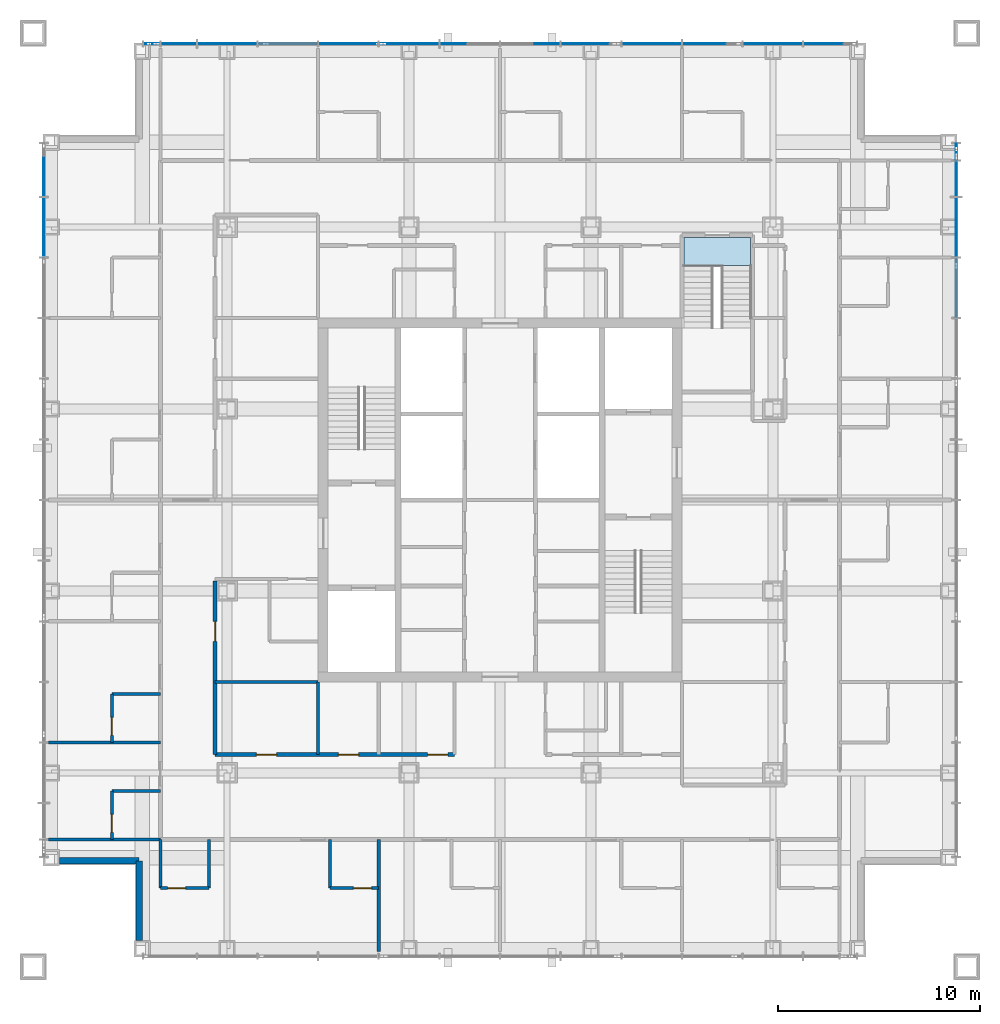
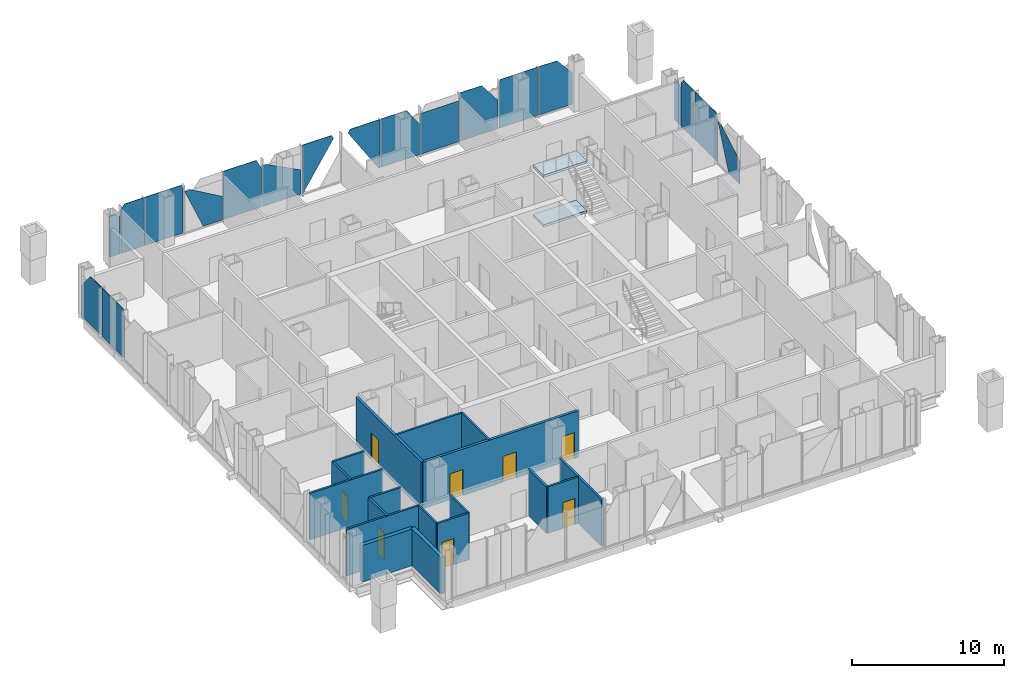
# One storey, part 7 of 25: 19 plates, 18 walls, 8 doors, 2 slabs, 8 openings, 4 elements without a shape of their own.
"""IFC4 building model written with IfcOpenShell, lengths in metres."""

from ifc_helpers import new_model, si_unit, direction, frame, frame_2d, origin, place, context, subcontext, project, spatial, polyline, rectangle, outline, extrude, material, layer, layer_set, type_object, element, fill, aggregate, save


model = new_model("IFC4")

# Units and contexts
model_context = context("Model", 3, precision=1e-05, world=origin(), true_north=direction((0.0, 1.0)))
body_context = subcontext(model_context, "Body", "Model", "MODEL_VIEW")
ifc_project = project(units=[si_unit("LENGTHUNIT", "METRE"), si_unit("AREAUNIT", "SQUARE_METRE"), si_unit("VOLUMEUNIT", "CUBIC_METRE"), si_unit("PLANEANGLEUNIT", "RADIAN"), si_unit("MASSUNIT", "GRAM", prefix="KILO")], contexts=[model_context])

# Site, building, storey
site_placement = place(None, origin())
site = spatial("IfcSite", under=ifc_project, at=site_placement, CompositionType="ELEMENT")
building_placement = place(site_placement, origin())
building = spatial("IfcBuilding", under=site, at=building_placement, Name="Malebo Sky Hospital", CompositionType="ELEMENT")
storey_placement = place(building_placement, frame((0.0, 0.0, 241.0)))
storey = spatial("IfcBuildingStorey", under=building, at=storey_placement, Name="L58", CompositionType="ELEMENT", Elevation=241.0)

# Stair, slabs
ifc_material_1 = material(Name="Concrete C40/50", Category="concrete")
stair_type = type_object("IfcStairType", Name="HALF-TURN STAIR 1400 R167", PredefinedType="HALF_TURN_STAIR", material=ifc_material_1)
stair_placement = place(storey_placement, origin())
stair = element("IfcStair", 1, at=stair_placement, inside=storey, type_object=stair_type, Name="Stair S3 L58 type ST1B", PredefinedType="HALF_TURN_STAIR")
ifc_layer_1 = layer(ifc_material_1, 0.199951171875)
ifc_layer_set_1 = layer_set([ifc_layer_1], Name="STAIR LANDING 200")
slab_type = type_object("IfcSlabType", Name="STAIR LANDING 200", PredefinedType="LANDING", material=ifc_layer_set_1)
slab_1_placement = place(storey_placement, frame((0.0, 0.0, -0.199951171875)))
slab_1 = element("IfcSlab", 2, at=slab_1_placement, type_object=slab_type, Name="S3 landing 1", PredefinedType="LANDING", context=body_context, shape_type="SweptSolid", body=[
    extrude(outline(polyline([(69.10009765625, 73.60009765625), (72.39990234375, 73.60009765625), (72.39990234375, 75.0), (69.10009765625, 75.0), (69.10009765625, 73.60009765625)])), origin(), (0.0, 0.0, 1.0), 0.199951171875),
])
slab_2_placement = place(storey_placement, frame((0.0, 0.0, 3.800048828125)))
slab_2 = element("IfcSlab", 3, at=slab_2_placement, type_object=slab_type, Name="S3 landing 3", PredefinedType="LANDING", context=body_context, shape_type="SweptSolid", body=[
    extrude(outline(polyline([(69.10009765625, 73.60009765625), (72.39990234375, 73.60009765625), (72.39990234375, 75.0), (69.10009765625, 75.0), (69.10009765625, 73.60009765625)])), origin(), (0.0, 0.0, 1.0), 0.199951171875),
])
aggregate(stair, [slab_1, slab_2])

# Curtain wall, plates
ifc_material_2 = material(Name="Anodised aluminium, natural silver", Category="aluminium")
ifc_layer_2 = layer(ifc_material_2, 0.25)
ifc_layer_set_2 = layer_set([ifc_layer_2], Name="WARD CURTAIN WALL NORTH AND SOUTH")
curtain_wall_type_1 = type_object("IfcCurtainWallType", Name="WARD CURTAIN WALL NORTH AND SOUTH", PredefinedType="NOTDEFINED", material=ifc_layer_set_2)
curtain_wall_1_placement = place(storey_placement, origin())
curtain_wall_1 = element("IfcCurtainWall", 4, at=curtain_wall_1_placement, inside=storey, type_object=curtain_wall_type_1, Name="NS curtain wall N", PredefinedType="NOTDEFINED")
ifc_material_3 = material(Name="Clear low-iron double glazing", Category="glass")
ifc_layer_3 = layer(ifc_material_3, 0.031982421875)
ifc_layer_set_3 = layer_set([ifc_layer_3], Name="VISION PANEL CLEAR 32")
plate_type = type_object("IfcPlateType", Name="VISION PANEL CLEAR 32", PredefinedType="CURTAIN_PANEL", material=ifc_layer_set_3)
plate_1_placement = place(storey_placement, frame((42.768798828125, 84.574951171875, 0.10009765625), z_axis=(0.0, 0.0, 1.0), x_axis=(1.0, 0.0, 0.0)))
plate_1 = element("IfcPlate", 5, at=plate_1_placement, type_object=plate_type, Name="Panel 1", PredefinedType="CURTAIN_PANEL", context=body_context, shape_type="SweptSolid", body=[
    extrude(outline(polyline([(-0.393798828125, 0.0), (0.393798828125, 0.0), (0.393798828125, 3.044189453125), (-0.043212890625, 3.3212890625), (-0.393798828125, 3.3212890625), (-0.393798828125, 0.0)])), frame((0.0, 0.01611328125, 0.0), z_axis=(0.0, -1.0, 0.0), x_axis=(1.0, 0.0, 0.0)), (0.0, 0.0, 1.0), 0.031982421875),
])
plate_2_placement = place(storey_placement, frame((44.10009765625, 84.574951171875, 0.10009765625), z_axis=(0.0, 0.0, 1.0), x_axis=(1.0, 0.0, 0.0)))
plate_2 = element("IfcPlate", 6, at=plate_2_placement, type_object=plate_type, Name="Panel 2", PredefinedType="CURTAIN_PANEL", context=body_context, shape_type="SweptSolid", body=[
    extrude(outline(polyline([(-0.862548828125, 0.0), (0.862548828125, 0.0), (0.862548828125, 3.889892578125), (-0.564208984375, 3.889892578125), (-0.862548828125, 3.53515625), (-0.862548828125, 0.0)])), frame((0.0, 0.01611328125, 0.0), z_axis=(0.0, -1.0, 0.0), x_axis=(1.0, 0.0, 0.0)), (0.0, 0.0, 1.0), 0.031982421875),
])
plate_3_placement = place(storey_placement, frame((46.5, 84.574951171875, 0.10009765625), z_axis=(0.0, 0.0, 1.0), x_axis=(1.0, 0.0, 0.0)))
plate_3 = element("IfcPlate", 7, at=plate_3_placement, type_object=plate_type, Name="Panel 3", PredefinedType="CURTAIN_PANEL", context=body_context, shape_type="SweptSolid", body=[
    extrude(outline(polyline([(-1.46240234375, 0.0), (1.46240234375, 0.0), (1.46240234375, 3.61572265625), (1.344970703125, 3.889892578125), (-1.46240234375, 3.889892578125), (-1.46240234375, 0.0)])), frame((0.0, 0.01611328125, 0.0), z_axis=(0.0, -1.0, 0.0), x_axis=(1.0, 0.0, 0.0)), (0.0, 0.0, 1.0), 0.031982421875),
])
plate_4_placement = place(storey_placement, frame((49.529052734375, 84.574951171875, 0.10009765625), z_axis=(0.0, 0.0, 1.0), x_axis=(1.0, 0.0, 0.0)))
plate_4 = element("IfcPlate", 8, at=plate_4_placement, type_object=plate_type, Name="Panel 4", PredefinedType="CURTAIN_PANEL", context=body_context, shape_type="SweptSolid", body=[
    extrude(outline(polyline([(-0.016845703125, 0.0), (1.43359375, 0.0), (1.43359375, 1.90673828125), (-0.992919921875, 3.305419921875), (-1.43359375, 3.305419921875), (-0.016845703125, 0.0)])), frame((0.0, 0.01611328125, 0.0), z_axis=(0.0, -1.0, 0.0), x_axis=(1.0, 0.0, 0.0)), (0.0, 0.0, 1.0), 0.031982421875),
])
plate_5_placement = place(storey_placement, frame((52.5, 84.574951171875, 0.10009765625), z_axis=(0.0, 0.0, 1.0), x_axis=(1.0, 0.0, 0.0)))
plate_5 = element("IfcPlate", 9, at=plate_5_placement, type_object=plate_type, Name="Panel 5", PredefinedType="CURTAIN_PANEL", context=body_context, shape_type="SweptSolid", body=[
    extrude(outline(polyline([(-1.46240234375, 0.0), (1.46240234375, 0.0), (1.46240234375, 3.117431640625), (1.067626953125, 3.889892578125), (-1.46240234375, 3.889892578125), (-1.46240234375, 0.0)])), frame((0.0, 0.01611328125, 0.0), z_axis=(0.0, -1.0, 0.0), x_axis=(1.0, 0.0, 0.0)), (0.0, 0.0, 1.0), 0.031982421875),
])
plate_6_placement = place(storey_placement, frame((55.5, 84.574951171875, 0.10009765625), z_axis=(0.0, 0.0, 1.0), x_axis=(1.0, 0.0, 0.0)))
plate_6 = element("IfcPlate", 10, at=plate_6_placement, type_object=plate_type, Name="Panel 6", PredefinedType="CURTAIN_PANEL", context=body_context, shape_type="SweptSolid", body=[
    extrude(outline(polyline([(-1.46240234375, 0.0), (1.46240234375, 0.0), (1.46240234375, 1.9345703125), (-1.14599609375, 3.289794921875), (-1.46240234375, 3.289794921875), (-1.46240234375, 0.0)])), frame((0.0, 0.01611328125, 0.0), z_axis=(0.0, -1.0, 0.0), x_axis=(1.0, 0.0, 0.0)), (0.0, 0.0, 1.0), 0.031982421875),
])
plate_7_placement = place(storey_placement, frame((58.244873046875, 84.574951171875, 0.10009765625), z_axis=(0.0, 0.0, 1.0), x_axis=(1.0, 0.0, 0.0)))
plate_7 = element("IfcPlate", 11, at=plate_7_placement, type_object=plate_type, Name="Panel 7", PredefinedType="CURTAIN_PANEL", context=body_context, shape_type="SweptSolid", body=[
    extrude(outline(polyline([(-1.20751953125, 0.0), (-1.115234375, 0.0), (1.20751953125, 3.61962890625), (1.047119140625, 3.889892578125), (-1.20751953125, 3.889892578125), (-1.20751953125, 0.0)])), frame((0.0, 0.01611328125, 0.0), z_axis=(0.0, -1.0, 0.0), x_axis=(1.0, 0.0, 0.0)), (0.0, 0.0, 1.0), 0.031982421875),
])
plate_8_placement = place(storey_placement, frame((61.755126953125, 84.574951171875, 0.10009765625), z_axis=(0.0, 0.0, 1.0), x_axis=(1.0, 0.0, 0.0)))
plate_8 = element("IfcPlate", 12, at=plate_8_placement, type_object=plate_type, Name="Panel 8", PredefinedType="CURTAIN_PANEL", context=body_context, shape_type="SweptSolid", body=[
    extrude(outline(polyline([(1.115234375, 0.0), (1.20751953125, 0.0), (1.20751953125, 3.889892578125), (-1.047119140625, 3.889892578125), (-1.20751953125, 3.61962890625), (1.115234375, 0.0)])), frame((0.0, 0.01611328125, 0.0), z_axis=(0.0, -1.0, 0.0), x_axis=(1.0, 0.0, 0.0)), (0.0, 0.0, 1.0), 0.031982421875),
])
plate_9_placement = place(storey_placement, frame((64.5, 84.574951171875, 0.10009765625), z_axis=(0.0, 0.0, 1.0), x_axis=(1.0, 0.0, 0.0)))
plate_9 = element("IfcPlate", 13, at=plate_9_placement, type_object=plate_type, Name="Panel 9", PredefinedType="CURTAIN_PANEL", context=body_context, shape_type="SweptSolid", body=[
    extrude(outline(polyline([(-1.46240234375, 0.0), (1.46240234375, 0.0), (1.46240234375, 2.489990234375), (0.516357421875, 3.889892578125), (-1.46240234375, 3.889892578125), (-1.46240234375, 0.0)])), frame((0.0, 0.01611328125, 0.0), z_axis=(0.0, -1.0, 0.0), x_axis=(1.0, 0.0, 0.0)), (0.0, 0.0, 1.0), 0.031982421875),
])
plate_10_placement = place(storey_placement, frame((67.5, 84.574951171875, 0.10009765625), z_axis=(0.0, 0.0, 1.0), x_axis=(1.0, 0.0, 0.0)))
plate_10 = element("IfcPlate", 14, at=plate_10_placement, type_object=plate_type, Name="Panel 10", PredefinedType="CURTAIN_PANEL", context=body_context, shape_type="SweptSolid", body=[
    extrude(outline(polyline([(-1.46240234375, 0.0), (1.46240234375, 0.0), (1.46240234375, 3.289794921875), (-1.46240234375, 3.289794921875), (-1.46240234375, 0.0)])), frame((0.0, 0.01611328125, 0.0), z_axis=(0.0, -1.0, 0.0), x_axis=(1.0, 0.0, 0.0)), (0.0, 0.0, 1.0), 0.031982421875),
])
plate_11_placement = place(storey_placement, frame((70.5, 84.574951171875, 0.10009765625), z_axis=(0.0, 0.0, 1.0), x_axis=(1.0, 0.0, 0.0)))
plate_11 = element("IfcPlate", 15, at=plate_11_placement, type_object=plate_type, Name="Panel 11", PredefinedType="CURTAIN_PANEL", context=body_context, shape_type="SweptSolid", body=[
    extrude(outline(polyline([(-1.46240234375, 0.0), (1.46240234375, 0.0), (1.46240234375, 2.278564453125), (0.24072265625, 3.889892578125), (-1.46240234375, 3.889892578125), (-1.46240234375, 0.0)])), frame((0.0, 0.01611328125, 0.0), z_axis=(0.0, -1.0, 0.0), x_axis=(1.0, 0.0, 0.0)), (0.0, 0.0, 1.0), 0.031982421875),
])
plate_12_placement = place(storey_placement, frame((73.5, 84.574951171875, 0.10009765625), z_axis=(0.0, 0.0, 1.0), x_axis=(1.0, 0.0, 0.0)))
plate_12 = element("IfcPlate", 16, at=plate_12_placement, type_object=plate_type, Name="Panel 12", PredefinedType="CURTAIN_PANEL", context=body_context, shape_type="SweptSolid", body=[
    extrude(outline(polyline([(-1.46240234375, 0.0), (1.46240234375, 0.0), (1.46240234375, 3.889892578125), (-1.344970703125, 3.889892578125), (-1.46240234375, 3.61572265625), (-1.46240234375, 0.0)])), frame((0.0, 0.01611328125, 0.0), z_axis=(0.0, -1.0, 0.0), x_axis=(1.0, 0.0, 0.0)), (0.0, 0.0, 1.0), 0.031982421875),
])
plate_13_placement = place(storey_placement, frame((76.331298828125, 84.574951171875, 0.10009765625), z_axis=(0.0, 0.0, 1.0), x_axis=(1.0, 0.0, 0.0)))
plate_13 = element("IfcPlate", 17, at=plate_13_placement, type_object=plate_type, Name="Panel 13", PredefinedType="CURTAIN_PANEL", context=body_context, shape_type="SweptSolid", body=[
    extrude(outline(polyline([(-1.293701171875, 0.0), (1.293701171875, 0.0), (1.293701171875, 2.50927734375), (0.1328125, 3.889892578125), (-1.293701171875, 3.889892578125), (-1.293701171875, 0.0)])), frame((0.0, 0.01611328125, 0.0), z_axis=(0.0, -1.0, 0.0), x_axis=(1.0, 0.0, 0.0)), (0.0, 0.0, 1.0), 0.031982421875),
])
aggregate(curtain_wall_1, [plate_1, plate_2, plate_3, plate_4, plate_5, plate_6, plate_7, plate_8, plate_9, plate_10, plate_11, plate_12, plate_13])

ifc_layer_4 = layer(ifc_material_2, 0.25)
ifc_layer_set_4 = layer_set([ifc_layer_4], Name="WARD CURTAIN WALL EAST AND WEST")
curtain_wall_type_2 = type_object("IfcCurtainWallType", Name="WARD CURTAIN WALL EAST AND WEST", PredefinedType="NOTDEFINED", material=ifc_layer_set_4)
curtain_wall_2_placement = place(storey_placement, origin())
curtain_wall_2 = element("IfcCurtainWall", 18, at=curtain_wall_2_placement, inside=storey, type_object=curtain_wall_type_2, Name="EW curtain wall W", PredefinedType="NOTDEFINED")
plate_14_placement = place(storey_placement, frame((37.425048828125, 75.5, 0.10009765625), z_axis=(0.0, 0.0, 1.0), x_axis=(0.0, 1.0, 0.0)))
plate_14 = element("IfcPlate", 19, at=plate_14_placement, type_object=plate_type, Name="Panel 12", PredefinedType="CURTAIN_PANEL", context=body_context, shape_type="SweptSolid", body=[
    extrude(outline(polyline([(-1.46240234375, 0.0), (1.46240234375, 0.0), (1.46240234375, 3.889892578125), (-1.344970703125, 3.889892578125), (-1.46240234375, 3.61572265625), (-1.46240234375, 0.0)])), frame((0.0, 0.01611328125, 0.0), z_axis=(0.0, -1.0, 0.0), x_axis=(1.0, 0.0, 0.0)), (0.0, 0.0, 1.0), 0.031982421875),
])
plate_15_placement = place(storey_placement, frame((37.425048828125, 78.331298828125, 0.10009765625), z_axis=(0.0, 0.0, 1.0), x_axis=(0.0, 1.0, 0.0)))
plate_15 = element("IfcPlate", 20, at=plate_15_placement, type_object=plate_type, Name="Panel 13", PredefinedType="CURTAIN_PANEL", context=body_context, shape_type="SweptSolid", body=[
    extrude(outline(polyline([(-1.293701171875, 0.0), (1.293701171875, 0.0), (1.293701171875, 2.50927734375), (0.1328125, 3.889892578125), (-1.293701171875, 3.889892578125), (-1.293701171875, 0.0)])), frame((0.0, 0.01611328125, 0.0), z_axis=(0.0, -1.0, 0.0), x_axis=(1.0, 0.0, 0.0)), (0.0, 0.0, 1.0), 0.031982421875),
])
aggregate(curtain_wall_2, [plate_14, plate_15])

curtain_wall_3_placement = place(storey_placement, origin())
curtain_wall_3 = element("IfcCurtainWall", 21, at=curtain_wall_3_placement, inside=storey, type_object=curtain_wall_type_2, Name="EW curtain wall E", PredefinedType="NOTDEFINED")
plate_16_placement = place(storey_placement, frame((82.574951171875, 79.231201171875, 0.10009765625), z_axis=(0.0, 0.0, 1.0), x_axis=(0.0, -1.0, 0.0)))
plate_16 = element("IfcPlate", 22, at=plate_16_placement, type_object=plate_type, Name="Panel 1", PredefinedType="CURTAIN_PANEL", context=body_context, shape_type="SweptSolid", body=[
    extrude(outline(polyline([(-0.393798828125, 0.0), (0.393798828125, 0.0), (0.393798828125, 3.044189453125), (-0.043212890625, 3.3212890625), (-0.393798828125, 3.3212890625), (-0.393798828125, 0.0)])), frame((0.0, 0.01611328125, 0.0), z_axis=(0.0, -1.0, 0.0), x_axis=(1.0, 0.0, 0.0)), (0.0, 0.0, 1.0), 0.031982421875),
])
plate_17_placement = place(storey_placement, frame((82.574951171875, 77.89990234375, 0.10009765625), z_axis=(0.0, 0.0, 1.0), x_axis=(0.0, -1.0, 0.0)))
plate_17 = element("IfcPlate", 23, at=plate_17_placement, type_object=plate_type, Name="Panel 2", PredefinedType="CURTAIN_PANEL", context=body_context, shape_type="SweptSolid", body=[
    extrude(outline(polyline([(-0.862548828125, 0.0), (0.862548828125, 0.0), (0.862548828125, 3.889892578125), (-0.564208984375, 3.889892578125), (-0.862548828125, 3.53515625), (-0.862548828125, 0.0)])), frame((0.0, 0.01611328125, 0.0), z_axis=(0.0, -1.0, 0.0), x_axis=(1.0, 0.0, 0.0)), (0.0, 0.0, 1.0), 0.031982421875),
])
plate_18_placement = place(storey_placement, frame((82.574951171875, 75.5, 0.10009765625), z_axis=(0.0, 0.0, 1.0), x_axis=(0.0, -1.0, 0.0)))
plate_18 = element("IfcPlate", 24, at=plate_18_placement, type_object=plate_type, Name="Panel 3", PredefinedType="CURTAIN_PANEL", context=body_context, shape_type="SweptSolid", body=[
    extrude(outline(polyline([(-1.46240234375, 0.0), (1.46240234375, 0.0), (1.46240234375, 3.61572265625), (1.344970703125, 3.889892578125), (-1.46240234375, 3.889892578125), (-1.46240234375, 0.0)])), frame((0.0, 0.01611328125, 0.0), z_axis=(0.0, -1.0, 0.0), x_axis=(1.0, 0.0, 0.0)), (0.0, 0.0, 1.0), 0.031982421875),
])
plate_19_placement = place(storey_placement, frame((82.574951171875, 72.470947265625, 0.10009765625), z_axis=(0.0, 0.0, 1.0), x_axis=(0.0, -1.0, 0.0)))
plate_19 = element("IfcPlate", 25, at=plate_19_placement, type_object=plate_type, Name="Panel 4", PredefinedType="CURTAIN_PANEL", context=body_context, shape_type="SweptSolid", body=[
    extrude(outline(polyline([(-0.016845703125, 0.0), (1.43359375, 0.0), (1.43359375, 1.90673828125), (-0.992919921875, 3.305419921875), (-1.43359375, 3.305419921875), (-0.016845703125, 0.0)])), frame((0.0, 0.01611328125, 0.0), z_axis=(0.0, -1.0, 0.0), x_axis=(1.0, 0.0, 0.0)), (0.0, 0.0, 1.0), 0.031982421875),
])
aggregate(curtain_wall_3, [plate_16, plate_17, plate_18, plate_19])

# Wall, opening, door
ifc_material_4 = material(Name="Gypsum board on steel studs", Category="steel")
ifc_layer_5 = layer(ifc_material_4, 0.199951171875)
ifc_layer_set_5 = layer_set([ifc_layer_5], Name="CORRIDOR WALL 200")
wall_type_1 = type_object("IfcWallType", Name="CORRIDOR WALL 200", PredefinedType="PARTITIONING", material=ifc_layer_set_5)
wall_1_placement = place(storey_placement, frame((45.89990234375, 49.39990234375, 0.0), z_axis=(0.0, 0.0, 1.0), x_axis=(0.0, 1.0, 0.0)))
wall_1 = element("IfcWall", 26, at=wall_1_placement, inside=storey, type_object=wall_type_1, Name="Corridor Wall 200 WCI1", PredefinedType="PARTITIONING", context=body_context, shape_type="SweptSolid", body=[
    extrude(rectangle(XDim=8.60009765625, YDim=0.199951171875, at=frame_2d((4.300048828125, 0.0))), origin(), (0.0, 0.0, 1.0), 3.75),
])
opening_1_placement = place(wall_1_placement, frame((5.60009765625, 0.0, 0.0)))
opening_1 = element("IfcOpeningElement", 27, at=opening_1_placement, cuts=wall_1, Name="Opening D03", PredefinedType="OPENING", context=body_context, shape_type="SweptSolid", body=[
    extrude(rectangle(XDim=1.0, YDim=2.10009765625, at=frame_2d((0.5, 1.050048828125))), frame((0.0, 0.10986328125, 0.0), z_axis=(0.0, -1.0, 0.0), x_axis=(1.0, 0.0, 0.0)), (0.0, 0.0, 1.0), 0.219970703125),
])
ifc_material_5 = material(Name="Hardwood-faced door leaf in steel frame", Category="steel")
door_type_1 = type_object("IfcDoorType", Name="ROOM DOOR 1000", OperationType="SINGLE_SWING_LEFT", PredefinedType="DOOR", material=ifc_material_5)
door_1_placement = place(opening_1_placement, origin())
door_1 = element("IfcDoor", 28, at=door_1_placement, inside=storey, type_object=door_type_1, Name="Seminar room door", OperationType="SINGLE_SWING_LEFT", OverallHeight=2.10009765625, OverallWidth=1.0, PredefinedType="DOOR", context=body_context, shape_type="SweptSolid", body=[
    extrude(rectangle(XDim=1.0, YDim=2.10009765625, at=frame_2d((0.5, 1.050048828125))), frame((0.0, 0.02490234375, 0.0), z_axis=(0.0, -1.0, 0.0), x_axis=(1.0, 0.0, 0.0)), (0.0, 0.0, 1.0), 0.050048828125),
])
fill(opening_1, door_1)

# Wall, openings, doors
wall_2_placement = place(storey_placement, frame((57.75, 49.39990234375, 0.0), z_axis=(0.0, 0.0, 1.0), x_axis=(-1.0, 0.0, 0.0)))
wall_2 = element("IfcWall", 29, at=wall_2_placement, inside=storey, type_object=wall_type_1, Name="Corridor Wall 200 SCI2", PredefinedType="PARTITIONING", context=body_context, shape_type="SweptSolid", body=[
    extrude(rectangle(XDim=11.85009765625, YDim=0.199951171875, at=frame_2d((5.925048828125, 0.0))), origin(), (0.0, 0.0, 1.0), 3.75),
])
opening_2_placement = place(wall_2_placement, frame((0.324951171875, 0.0, 0.0)))
opening_2 = element("IfcOpeningElement", 30, at=opening_2_placement, cuts=wall_2, Name="Opening D03", PredefinedType="OPENING", context=body_context, shape_type="SweptSolid", body=[
    extrude(rectangle(XDim=1.0, YDim=2.10009765625, at=frame_2d((0.5, 1.050048828125))), frame((0.0, 0.10986328125, 0.0), z_axis=(0.0, -1.0, 0.0), x_axis=(1.0, 0.0, 0.0)), (0.0, 0.0, 1.0), 0.219970703125),
])
opening_3_placement = place(wall_2_placement, frame((4.75, 0.0, 0.0)))
opening_3 = element("IfcOpeningElement", 31, at=opening_3_placement, cuts=wall_2, Name="Opening D03", PredefinedType="OPENING", context=body_context, shape_type="SweptSolid", body=[
    extrude(rectangle(XDim=1.0, YDim=2.10009765625, at=frame_2d((0.5, 1.050048828125))), frame((0.0, 0.10986328125, 0.0), z_axis=(0.0, -1.0, 0.0), x_axis=(1.0, 0.0, 0.0)), (0.0, 0.0, 1.0), 0.219970703125),
])
opening_4_placement = place(wall_2_placement, frame((8.800048828125, 0.0, 0.0)))
opening_4 = element("IfcOpeningElement", 32, at=opening_4_placement, cuts=wall_2, Name="Opening D03", PredefinedType="OPENING", context=body_context, shape_type="SweptSolid", body=[
    extrude(rectangle(XDim=1.0, YDim=2.10009765625, at=frame_2d((0.5, 1.050048828125))), frame((0.0, 0.10986328125, 0.0), z_axis=(0.0, -1.0, 0.0), x_axis=(1.0, 0.0, 0.0)), (0.0, 0.0, 1.0), 0.219970703125),
])
door_2_placement = place(opening_2_placement, origin())
door_2 = element("IfcDoor", 33, at=door_2_placement, inside=storey, type_object=door_type_1, Name="Ward pantry door", OperationType="SINGLE_SWING_LEFT", OverallHeight=2.10009765625, OverallWidth=1.0, PredefinedType="DOOR", context=body_context, shape_type="SweptSolid", body=[
    extrude(rectangle(XDim=1.0, YDim=2.10009765625, at=frame_2d((0.5, 1.050048828125))), frame((0.0, 0.02490234375, 0.0), z_axis=(0.0, -1.0, 0.0), x_axis=(1.0, 0.0, 0.0)), (0.0, 0.0, 1.0), 0.050048828125),
])
fill(opening_2, door_2)
door_3_placement = place(opening_3_placement, origin())
door_3 = element("IfcDoor", 34, at=door_3_placement, inside=storey, type_object=door_type_1, Name="Ward office door", OperationType="SINGLE_SWING_LEFT", OverallHeight=2.10009765625, OverallWidth=1.0, PredefinedType="DOOR", context=body_context, shape_type="SweptSolid", body=[
    extrude(rectangle(XDim=1.0, YDim=2.10009765625, at=frame_2d((0.5, 1.050048828125))), frame((0.0, 0.02490234375, 0.0), z_axis=(0.0, -1.0, 0.0), x_axis=(1.0, 0.0, 0.0)), (0.0, 0.0, 1.0), 0.050048828125),
])
fill(opening_3, door_3)
door_4_placement = place(opening_4_placement, origin())
door_4 = element("IfcDoor", 35, at=door_4_placement, inside=storey, type_object=door_type_1, Name="Staff base door", OperationType="SINGLE_SWING_RIGHT", OverallHeight=2.10009765625, OverallWidth=1.0, PredefinedType="DOOR", context=body_context, shape_type="SweptSolid", body=[
    extrude(rectangle(XDim=1.0, YDim=2.10009765625, at=frame_2d((0.5, 1.050048828125))), frame((0.0, 0.02490234375, 0.0), z_axis=(0.0, -1.0, 0.0), x_axis=(1.0, 0.0, 0.0)), (0.0, 0.0, 1.0), 0.050048828125),
])
fill(opening_4, door_4)

# Walls
ifc_material_6 = material(Name="Anodised aluminium rainscreen on steel framing", Category="steel")
ifc_layer_6 = layer(ifc_material_6, 0.300048828125)
ifc_layer_set_6 = layer_set([ifc_layer_6], Name="NOTCH RAINSCREEN WALL 300")
wall_type_2 = type_object("IfcWallType", Name="NOTCH RAINSCREEN WALL 300", PredefinedType="ELEMENTEDWALL", material=ifc_layer_set_6)
for number, where, z_axis, x_axis, name in (
    (36, (42.14990234375, 40.199951171875, 0.0), (0.0, 0.0, 1.0), (0.0, 1.0, 0.0), "Notch rainscreen wall S1 L58"),
    (37, (42.14990234375, 44.14990234375, 0.0), (0.0, 0.0, 1.0), (-1.0, 0.0, 0.0), "Notch rainscreen wall S2 L58"),
):
    element("IfcWall", number, at=place(storey_placement, frame(where, z_axis=z_axis, x_axis=x_axis)), inside=storey, type_object=wall_type_2, Name=name, PredefinedType="ELEMENTEDWALL", context=body_context, shape_type="SweptSolid", body=[
        extrude(rectangle(XDim=3.949951171875, YDim=0.300048828125, at=frame_2d((1.97509765625, 0.0))), origin(), (0.0, 0.0, 1.0), 2.949951171875),
    ])
ifc_layer_7 = layer(ifc_material_4, 0.14990234375)
ifc_layer_set_7 = layer_set([ifc_layer_7], Name="PARTITION 150")
wall_type_3 = type_object("IfcWallType", Name="PARTITION 150", PredefinedType="PARTITIONING", material=ifc_layer_set_7)
for number, where, z_axis, x_axis, name in (
    (38, (43.199951171875, 50.0, 0.0), (0.0, 0.0, 1.0), (-1.0, 0.0, 0.0), "Partition 150 WP-12.0"),
    (39, (43.199951171875, 45.199951171875, 0.0), (0.0, 0.0, 1.0), (-1.0, 0.0, 0.0), "Partition 150 WP0"),
):
    element("IfcWall", number, at=place(storey_placement, frame(where, z_axis=z_axis, x_axis=x_axis)), inside=storey, type_object=wall_type_3, Name=name, PredefinedType="PARTITIONING", context=body_context, shape_type="SweptSolid", body=[
        extrude(rectangle(XDim=5.550048828125, YDim=0.14990234375, at=frame_2d((2.77490234375, 0.0))), origin(), (0.0, 0.0, 1.0), 3.75),
    ])

# Wall, opening, door
wall_3_placement = place(storey_placement, frame((40.800048828125, 45.199951171875, 0.0), z_axis=(0.0, 0.0, 1.0), x_axis=(0.0, 1.0, 0.0)))
wall_3 = element("IfcWall", 40, at=wall_3_placement, inside=storey, type_object=wall_type_3, Name="Partition 150 WE0F", PredefinedType="PARTITIONING", context=body_context, shape_type="SweptSolid", body=[
    extrude(rectangle(XDim=2.400146484375, YDim=0.14990234375, at=frame_2d((1.2001953125, 0.0))), origin(), (0.0, 0.0, 1.0), 3.75),
])
opening_5_placement = place(wall_3_placement, frame((0.35009765625, 0.0, 0.0)))
opening_5 = element("IfcOpeningElement", 41, at=opening_5_placement, cuts=wall_3, Name="Opening D02", PredefinedType="OPENING", context=body_context, shape_type="SweptSolid", body=[
    extrude(rectangle(XDim=0.89990234375, YDim=2.10009765625, at=frame_2d((0.449951171875, 1.050048828125))), frame((0.0, 0.0849609375, 0.0), z_axis=(0.0, -1.0, 0.0), x_axis=(1.0, 0.0, 0.0)), (0.0, 0.0, 1.0), 0.169921875),
])
door_type_2 = type_object("IfcDoorType", Name="EN-SUITE DOOR 900", OperationType="SINGLE_SWING_LEFT", PredefinedType="DOOR", material=ifc_material_5)
door_5_placement = place(opening_5_placement, origin())
door_5 = element("IfcDoor", 42, at=door_5_placement, inside=storey, type_object=door_type_2, Name="En-suite door", OperationType="SINGLE_SWING_LEFT", OverallHeight=2.10009765625, OverallWidth=0.89990234375, PredefinedType="DOOR", context=body_context, shape_type="SweptSolid", body=[
    extrude(rectangle(XDim=0.89990234375, YDim=2.10009765625, at=frame_2d((0.449951171875, 1.050048828125))), frame((0.0, 0.02490234375, 0.0), z_axis=(0.0, -1.0, 0.0), x_axis=(1.0, 0.0, 0.0)), (0.0, 0.0, 1.0), 0.050048828125),
])
fill(opening_5, door_5)

# Wall
wall_4_placement = place(storey_placement, frame((43.199951171875, 47.60009765625, 0.0), z_axis=(0.0, 0.0, 1.0), x_axis=(-1.0, 0.0, 0.0)))
element("IfcWall", 43, at=wall_4_placement, inside=storey, type_object=wall_type_3, Name="Partition 150 WE0S", PredefinedType="PARTITIONING", context=body_context, shape_type="SweptSolid", body=[
    extrude(rectangle(XDim=2.39990234375, YDim=0.14990234375, at=frame_2d((1.199951171875, 0.0))), origin(), (0.0, 0.0, 1.0), 3.75),
])

# Wall, opening, door
wall_5_placement = place(storey_placement, frame((40.800048828125, 50.0, 0.0), z_axis=(0.0, 0.0, 1.0), x_axis=(0.0, 1.0, 0.0)))
wall_5 = element("IfcWall", 44, at=wall_5_placement, inside=storey, type_object=wall_type_3, Name="Partition 150 WE1F", PredefinedType="PARTITIONING", context=body_context, shape_type="SweptSolid", body=[
    extrude(rectangle(XDim=2.39990234375, YDim=0.14990234375, at=frame_2d((1.199951171875, 0.0))), origin(), (0.0, 0.0, 1.0), 3.75),
])
opening_6_placement = place(wall_5_placement, frame((0.35009765625, 0.0, 0.0)))
opening_6 = element("IfcOpeningElement", 45, at=opening_6_placement, cuts=wall_5, Name="Opening D02", PredefinedType="OPENING", context=body_context, shape_type="SweptSolid", body=[
    extrude(rectangle(XDim=0.89990234375, YDim=2.10009765625, at=frame_2d((0.449951171875, 1.050048828125))), frame((0.0, 0.0849609375, 0.0), z_axis=(0.0, -1.0, 0.0), x_axis=(1.0, 0.0, 0.0)), (0.0, 0.0, 1.0), 0.169921875),
])
door_6_placement = place(opening_6_placement, origin())
door_6 = element("IfcDoor", 46, at=door_6_placement, inside=storey, type_object=door_type_2, Name="En-suite door", OperationType="SINGLE_SWING_LEFT", OverallHeight=2.10009765625, OverallWidth=0.89990234375, PredefinedType="DOOR", context=body_context, shape_type="SweptSolid", body=[
    extrude(rectangle(XDim=0.89990234375, YDim=2.10009765625, at=frame_2d((0.449951171875, 1.050048828125))), frame((0.0, 0.02490234375, 0.0), z_axis=(0.0, -1.0, 0.0), x_axis=(1.0, 0.0, 0.0)), (0.0, 0.0, 1.0), 0.050048828125),
])
fill(opening_6, door_6)

# Walls
wall_6_placement = place(storey_placement, frame((43.199951171875, 52.39990234375, 0.0), z_axis=(0.0, 0.0, 1.0), x_axis=(-1.0, 0.0, 0.0)))
element("IfcWall", 47, at=wall_6_placement, inside=storey, type_object=wall_type_3, Name="Partition 150 WE1S", PredefinedType="PARTITIONING", context=body_context, shape_type="SweptSolid", body=[
    extrude(rectangle(XDim=2.39990234375, YDim=0.14990234375, at=frame_2d((1.199951171875, 0.0))), origin(), (0.0, 0.0, 1.0), 3.75),
])
wall_7_placement = place(storey_placement, frame((51.0, 53.0, 0.0), z_axis=(0.0, 0.0, 1.0), x_axis=(-1.0, 0.0, 0.0)))
element("IfcWall", 48, at=wall_7_placement, inside=storey, type_object=wall_type_3, Name="Partition 150 WSP0", PredefinedType="PARTITIONING", context=body_context, shape_type="SweptSolid", body=[
    extrude(rectangle(XDim=5.10009765625, YDim=0.14990234375, at=frame_2d((2.550048828125, 0.0))), origin(), (0.0, 0.0, 1.0), 3.75),
])
wall_8_placement = place(storey_placement, frame((54.0, 45.199951171875, 0.0), z_axis=(0.0, 0.0, 1.0), x_axis=(0.0, -1.0, 0.0)))
element("IfcWall", 49, at=wall_8_placement, inside=storey, type_object=wall_type_3, Name="Partition 150 SP+6.0", PredefinedType="PARTITIONING", context=body_context, shape_type="SweptSolid", body=[
    extrude(rectangle(XDim=5.550048828125, YDim=0.14990234375, at=frame_2d((2.77490234375, 0.0))), origin(), (0.0, 0.0, 1.0), 3.75),
])

# Wall, opening, door
wall_9_placement = place(storey_placement, frame((54.0, 42.800048828125, 0.0), z_axis=(0.0, 0.0, 1.0), x_axis=(-1.0, 0.0, 0.0)))
wall_9 = element("IfcWall", 50, at=wall_9_placement, inside=storey, type_object=wall_type_3, Name="Partition 150 SE3F", PredefinedType="PARTITIONING", context=body_context, shape_type="SweptSolid", body=[
    extrude(rectangle(XDim=2.39990234375, YDim=0.14990234375, at=frame_2d((1.199951171875, 0.0))), origin(), (0.0, 0.0, 1.0), 3.75),
])
opening_7_placement = place(wall_9_placement, frame((0.35009765625, 0.0, 0.0)))
opening_7 = element("IfcOpeningElement", 51, at=opening_7_placement, cuts=wall_9, Name="Opening D02", PredefinedType="OPENING", context=body_context, shape_type="SweptSolid", body=[
    extrude(rectangle(XDim=0.89990234375, YDim=2.10009765625, at=frame_2d((0.449951171875, 1.050048828125))), frame((0.0, 0.0849609375, 0.0), z_axis=(0.0, -1.0, 0.0), x_axis=(1.0, 0.0, 0.0)), (0.0, 0.0, 1.0), 0.169921875),
])
door_7_placement = place(opening_7_placement, origin())
door_7 = element("IfcDoor", 52, at=door_7_placement, inside=storey, type_object=door_type_2, Name="En-suite door", OperationType="SINGLE_SWING_LEFT", OverallHeight=2.10009765625, OverallWidth=0.89990234375, PredefinedType="DOOR", context=body_context, shape_type="SweptSolid", body=[
    extrude(rectangle(XDim=0.89990234375, YDim=2.10009765625, at=frame_2d((0.449951171875, 1.050048828125))), frame((0.0, 0.02490234375, 0.0), z_axis=(0.0, -1.0, 0.0), x_axis=(1.0, 0.0, 0.0)), (0.0, 0.0, 1.0), 0.050048828125),
])
fill(opening_7, door_7)

# Wall
wall_10_placement = place(storey_placement, frame((51.60009765625, 45.199951171875, 0.0), z_axis=(0.0, 0.0, 1.0), x_axis=(0.0, -1.0, 0.0)))
element("IfcWall", 53, at=wall_10_placement, inside=storey, type_object=wall_type_3, Name="Partition 150 SE3S", PredefinedType="PARTITIONING", context=body_context, shape_type="SweptSolid", body=[
    extrude(rectangle(XDim=2.39990234375, YDim=0.14990234375, at=frame_2d((1.199951171875, 0.0))), origin(), (0.0, 0.0, 1.0), 3.75),
])

# Wall, opening, door
wall_11_placement = place(storey_placement, frame((45.60009765625, 42.800048828125, 0.0), z_axis=(0.0, 0.0, 1.0), x_axis=(-1.0, 0.0, 0.0)))
wall_11 = element("IfcWall", 54, at=wall_11_placement, inside=storey, type_object=wall_type_3, Name="Partition 150 SG3F", PredefinedType="PARTITIONING", context=body_context, shape_type="SweptSolid", body=[
    extrude(rectangle(XDim=2.400146484375, YDim=0.14990234375, at=frame_2d((1.2001953125, 0.0))), origin(), (0.0, 0.0, 1.0), 3.75),
])
opening_8_placement = place(wall_11_placement, frame((1.14990234375, 0.0, 0.0)))
opening_8 = element("IfcOpeningElement", 55, at=opening_8_placement, cuts=wall_11, Name="Opening D02", PredefinedType="OPENING", context=body_context, shape_type="SweptSolid", body=[
    extrude(rectangle(XDim=0.89990234375, YDim=2.10009765625, at=frame_2d((0.449951171875, 1.050048828125))), frame((0.0, 0.0849609375, 0.0), z_axis=(0.0, -1.0, 0.0), x_axis=(1.0, 0.0, 0.0)), (0.0, 0.0, 1.0), 0.169921875),
])
door_8_placement = place(opening_8_placement, origin())
door_8 = element("IfcDoor", 56, at=door_8_placement, inside=storey, type_object=door_type_2, Name="En-suite door", OperationType="SINGLE_SWING_RIGHT", OverallHeight=2.10009765625, OverallWidth=0.89990234375, PredefinedType="DOOR", context=body_context, shape_type="SweptSolid", body=[
    extrude(rectangle(XDim=0.89990234375, YDim=2.10009765625, at=frame_2d((0.449951171875, 1.050048828125))), frame((0.0, 0.02490234375, 0.0), z_axis=(0.0, -1.0, 0.0), x_axis=(1.0, 0.0, 0.0)), (0.0, 0.0, 1.0), 0.050048828125),
])
fill(opening_8, door_8)

# Walls
for number, where, z_axis, x_axis, name in (
    (57, (45.60009765625, 45.199951171875, 0.0), (0.0, 0.0, 1.0), (0.0, -1.0, 0.0), "Partition 150 SG3S"),
    (58, (43.199951171875, 45.199951171875, 0.0), (0.0, 0.0, 1.0), (0.0, -1.0, 0.0), "Partition 150 SEZ"),
):
    element("IfcWall", number, at=place(storey_placement, frame(where, z_axis=z_axis, x_axis=x_axis)), inside=storey, type_object=wall_type_3, Name=name, PredefinedType="PARTITIONING", context=body_context, shape_type="SweptSolid", body=[
        extrude(rectangle(XDim=2.39990234375, YDim=0.14990234375, at=frame_2d((1.199951171875, 0.0))), origin(), (0.0, 0.0, 1.0), 3.75),
    ])
wall_12_placement = place(storey_placement, frame((51.0, 53.0, 0.0), z_axis=(0.0, 0.0, 1.0), x_axis=(0.0, -1.0, 0.0)))
element("IfcWall", 59, at=wall_12_placement, inside=storey, type_object=wall_type_3, Name="Partition 150 SSP+9.0", PredefinedType="PARTITIONING", context=body_context, shape_type="SweptSolid", body=[
    extrude(rectangle(XDim=3.60009765625, YDim=0.14990234375, at=frame_2d((1.800048828125, 0.0))), origin(), (0.0, 0.0, 1.0), 3.75),
])

save(model, "model.ifc")
